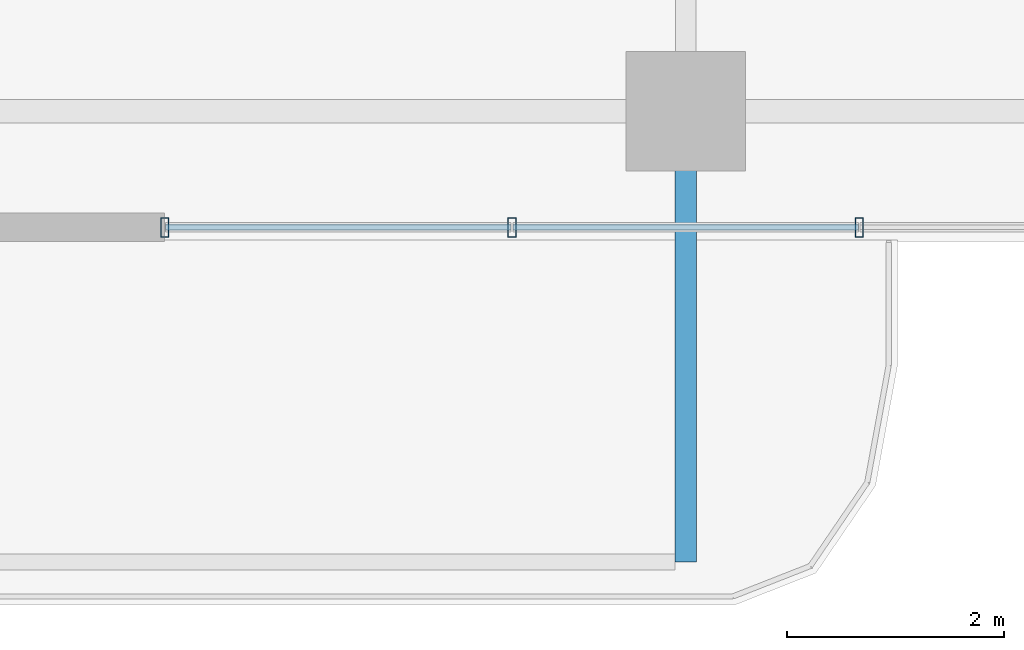
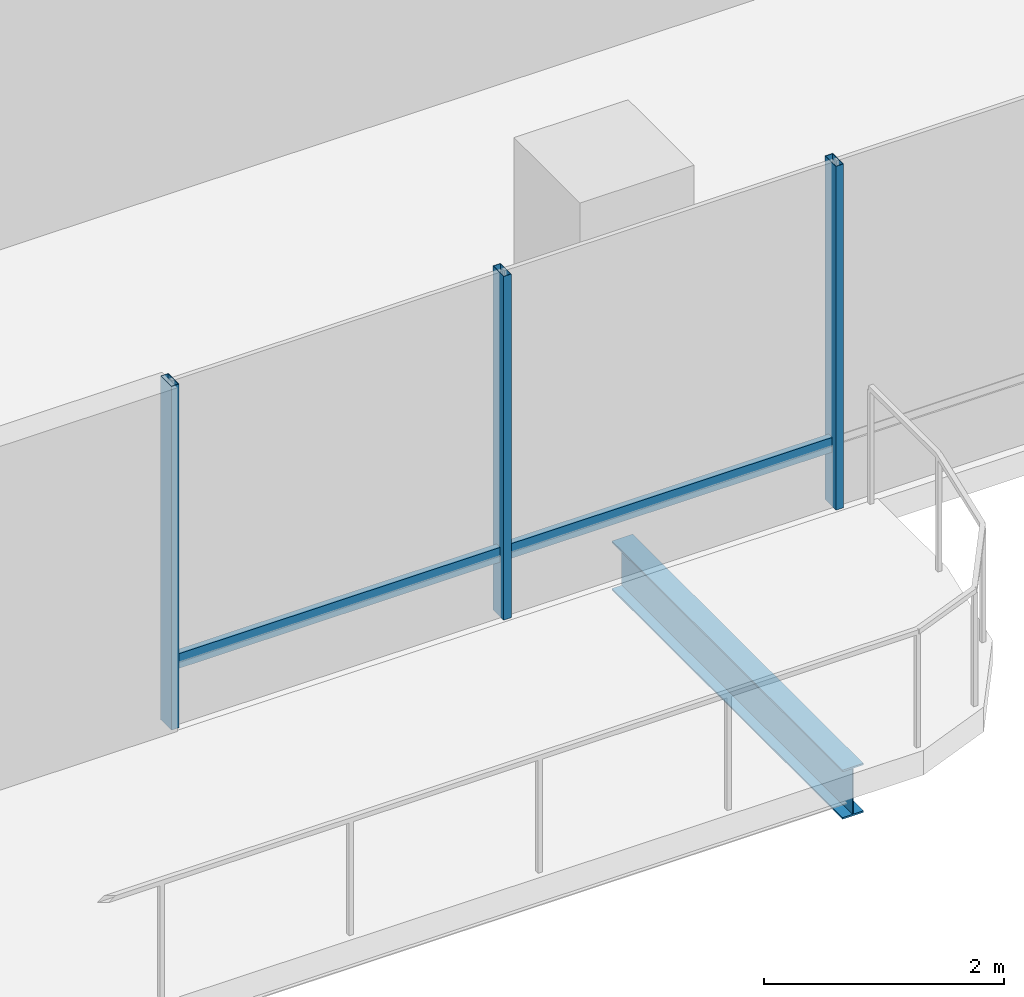
# One storey, part 2 of 23: 5 members, 1 beam, 1 element without a shape of its own.
"""IFC4 building model written with IfcOpenShell, lengths in metres."""

from ifc_helpers import new_model, si_unit, direction, frame, origin, origin_2d, place, context, subcontext, project, spatial, hollow_rectangle, i_section, extrude, material, layer, layer_set, material_profile, profile_set, type_object, element, aggregate, save


model = new_model("IFC4")

# Units and contexts
model_context = context("Model", 3, precision=1e-05, world=origin(), true_north=direction((0.0, 1.0)))
body_context = subcontext(model_context, "Body", "Model", "MODEL_VIEW")
ifc_project = project(units=[si_unit("LENGTHUNIT", "METRE"), si_unit("AREAUNIT", "SQUARE_METRE"), si_unit("VOLUMEUNIT", "CUBIC_METRE"), si_unit("PLANEANGLEUNIT", "RADIAN"), si_unit("MASSUNIT", "GRAM", prefix="KILO")], contexts=[model_context])

# Site, building, storey
site_placement = place(None, origin())
site = spatial("IfcSite", under=ifc_project, at=site_placement, CompositionType="ELEMENT")
building_placement = place(site_placement, origin())
building = spatial("IfcBuilding", under=site, at=building_placement, Name="Belovzor Exchange Tower", CompositionType="ELEMENT")
storey_placement = place(building_placement, frame((0.0, 0.0, 229.949951171875)))
storey = spatial("IfcBuildingStorey", under=building, at=storey_placement, Name="L57", CompositionType="ELEMENT", Elevation=229.949951171875)

# Beam
ifc_material_1 = material(Name="Steel S355", Category="steel")
ifc_material_profile_1 = material_profile(ifc_material_1, i_section(OverallWidth=0.199951171875, OverallDepth=0.5, WebThickness=0.01025390625, FlangeThickness=0.01611328125, at=origin_2d()))
ifc_profile_set_1 = profile_set([ifc_material_profile_1], Name="Steel S355")
beam_type = type_object("IfcBeamType", Name="Planted Balcony Cantilever Beam IPE 500", PredefinedType="BEAM", material=ifc_profile_set_1)
beam_placement = place(storey_placement, frame((28.800048828125, 2.697021484375, -0.5), z_axis=(0.0, -1.0, 0.0), x_axis=(1.0, 0.0, 0.0)))
element("IfcBeam", 1, at=beam_placement, inside=storey, type_object=beam_type, Name="BC-500 Planted Balcony Cantilever Beam IPE 500", PredefinedType="BEAM", context=body_context, shape_type="SweptSolid", body=[
    extrude(i_section(OverallWidth=0.199951171875, OverallDepth=0.5, WebThickness=0.01025390625, FlangeThickness=0.01611328125, at=origin_2d()), origin(), (0.0, 0.0, 1.0), 3.85009765625),
])

# Curtain wall, members
ifc_material_2 = material(Name="Anodised Aluminium Framing", Category="aluminium")
ifc_layer = layer(ifc_material_2, 0.179931640625)
ifc_layer_set = layer_set([ifc_layer], Name="Anodised Aluminium Framing")
curtain_wall_type = type_object("IfcCurtainWallType", Name="Recessed Loggia Low-Iron Triple-Glazed Curtain Wall", PredefinedType="NOTDEFINED", material=ifc_layer_set)
curtain_wall_placement = place(storey_placement, origin())
curtain_wall = element("IfcCurtainWall", 2, at=curtain_wall_placement, inside=storey, type_object=curtain_wall_type, Name="CW3 Recessed Loggia Low-Iron Triple-Glazed Curtain Wall L57", PredefinedType="NOTDEFINED")
ifc_material_3 = material(Name="Steel S355", Category="steel")
ifc_material_profile_2 = material_profile(ifc_material_3, hollow_rectangle(XDim=0.074951171875, YDim=0.179931640625, WallThickness=0.0048828125, at=origin_2d()))
ifc_profile_set_2 = profile_set([ifc_material_profile_2], Name="Steel S355")
member_type_1 = type_object("IfcMemberType", Name="Thermally Broken Curtain Wall Mullion 180x75", PredefinedType="MULLION", material=ifc_profile_set_2)
member_1_placement = place(storey_placement, frame((30.39990234375, 1.929931640625, 0.0), z_axis=(0.0, 0.0, 1.0), x_axis=(-1.0, 0.0, 0.0)))
member_1 = element("IfcMember", 3, at=member_1_placement, type_object=member_type_1, Name="CW-M180 Curtain Wall Mullion 2", PredefinedType="MULLION", context=body_context, shape_type="SweptSolid", body=[
    extrude(hollow_rectangle(XDim=0.074951171875, YDim=0.179931640625, WallThickness=0.0048828125, at=origin_2d()), origin(), (0.0, 0.0, 1.0), 3.5),
])
member_2_placement = place(storey_placement, frame((27.199951171875, 1.929931640625, 0.0), z_axis=(0.0, 0.0, 1.0), x_axis=(-1.0, 0.0, 0.0)))
member_2 = element("IfcMember", 4, at=member_2_placement, type_object=member_type_1, Name="CW-M180 Curtain Wall Mullion 3", PredefinedType="MULLION", context=body_context, shape_type="SweptSolid", body=[
    extrude(hollow_rectangle(XDim=0.074951171875, YDim=0.179931640625, WallThickness=0.0048828125, at=origin_2d()), origin(), (0.0, 0.0, 1.0), 3.5),
])
member_3_placement = place(storey_placement, frame((24.0, 1.929931640625, 0.0), z_axis=(0.0, 0.0, 1.0), x_axis=(-1.0, 0.0, 0.0)))
member_3 = element("IfcMember", 5, at=member_3_placement, type_object=member_type_1, Name="CW-M180 Curtain Wall Mullion 4", PredefinedType="MULLION", context=body_context, shape_type="SweptSolid", body=[
    extrude(hollow_rectangle(XDim=0.074951171875, YDim=0.179931640625, WallThickness=0.0048828125, at=origin_2d()), origin(), (0.0, 0.0, 1.0), 3.5),
])
ifc_material_4 = material(Name="Steel S355", Category="steel")
ifc_material_profile_3 = material_profile(ifc_material_4, hollow_rectangle(XDim=0.06005859375, YDim=0.14990234375, WallThickness=0.00390625, at=origin_2d()))
ifc_profile_set_3 = profile_set([ifc_material_profile_3], Name="Steel S355")
member_type_2 = type_object("IfcMemberType", Name="Thermally Broken Curtain Wall Transom 150x60", PredefinedType="USERDEFINED", material=ifc_profile_set_3)
member_4_placement = place(storey_placement, frame((30.39208984375, 1.929931640625, 0.630126953125), z_axis=(-1.0, 0.0, 0.0), x_axis=(0.0, -1.0, 0.0)))
member_4 = element("IfcMember", 6, at=member_4_placement, type_object=member_type_2, Name="CW-T150 Curtain Wall Transom 2", ObjectType="TRANSOM", PredefinedType="USERDEFINED", context=body_context, shape_type="SweptSolid", body=[
    extrude(hollow_rectangle(XDim=0.06005859375, YDim=0.14990234375, WallThickness=0.00390625, at=origin_2d()), origin(), (0.0, 0.0, 1.0), 3.18408203125),
])
member_5_placement = place(storey_placement, frame((27.19189453125, 1.929931640625, 0.630126953125), z_axis=(-1.0, 0.0, 0.0), x_axis=(0.0, -1.0, 0.0)))
member_5 = element("IfcMember", 7, at=member_5_placement, type_object=member_type_2, Name="CW-T150 Curtain Wall Transom 3", ObjectType="TRANSOM", PredefinedType="USERDEFINED", context=body_context, shape_type="SweptSolid", body=[
    extrude(hollow_rectangle(XDim=0.06005859375, YDim=0.14990234375, WallThickness=0.00390625, at=origin_2d()), origin(), (0.0, 0.0, 1.0), 3.183837890625),
])
aggregate(curtain_wall, [member_1, member_2, member_3, member_4, member_5])

save(model, "model.ifc")
